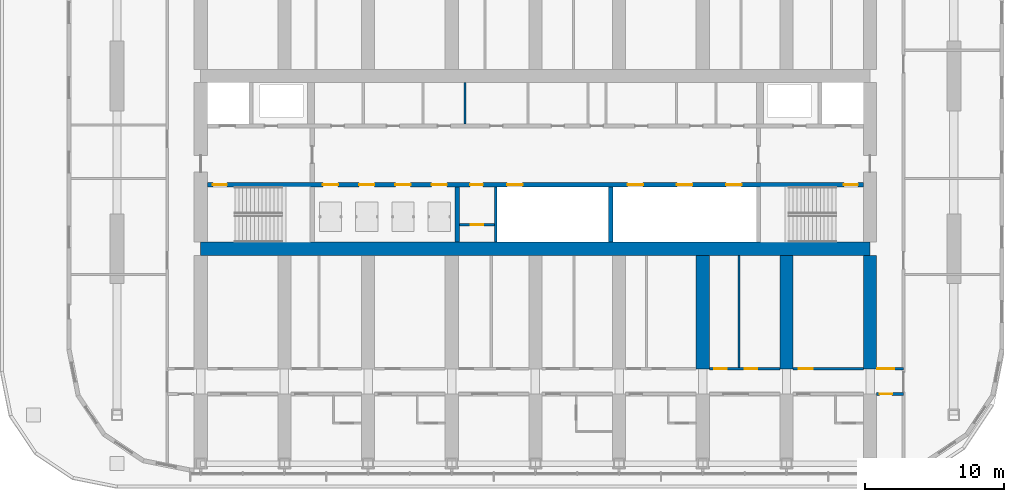
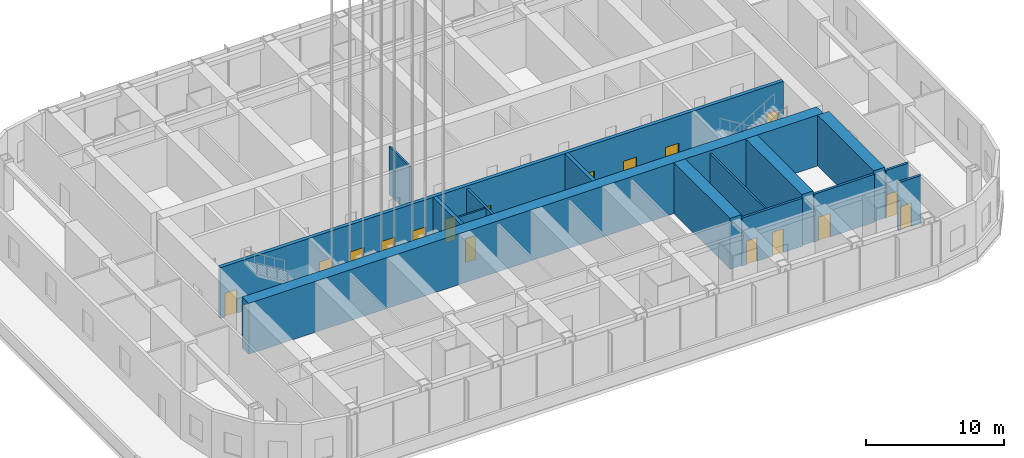
# One storey, part 13 of 32: 17 doors, 15 walls, 17 openings.
"""IFC4 building model written with IfcOpenShell, lengths in metres."""

from ifc_helpers import new_model, si_unit, direction, frame, frame_2d, origin, place, context, subcontext, project, spatial, rectangle, extrude, material, layer, layer_set, type_object, element, fill, save


model = new_model("IFC4")

# Units and contexts
model_context = context("Model", 3, precision=1e-05, world=origin(), true_north=direction((0.0, 1.0)))
body_context = subcontext(model_context, "Body", "Model", "MODEL_VIEW")
ifc_project = project(units=[si_unit("LENGTHUNIT", "METRE"), si_unit("AREAUNIT", "SQUARE_METRE"), si_unit("VOLUMEUNIT", "CUBIC_METRE"), si_unit("PLANEANGLEUNIT", "RADIAN"), si_unit("MASSUNIT", "GRAM", prefix="KILO")], contexts=[model_context])

# Site, building, storey
site_placement = place(None, origin())
site = spatial("IfcSite", under=ifc_project, at=site_placement, CompositionType="ELEMENT")
building_placement = place(site_placement, origin())
building = spatial("IfcBuilding", under=site, at=building_placement, Name="Orbita Commons", CompositionType="ELEMENT")
storey_placement = place(building_placement, frame((0.0, 0.0, 140.35009765625)))
storey = spatial("IfcBuildingStorey", under=building, at=storey_placement, Name="L34", CompositionType="ELEMENT", Elevation=140.35009765625)

# Wall, openings, doors
ifc_material_1 = material(Name="Concrete C50/60", Category="concrete")
ifc_layer_1 = layer(ifc_material_1, 0.300048828125)
ifc_layer_set_1 = layer_set([ifc_layer_1], Name="Concrete C50/60")
wall_type_1 = type_object("IfcWallType", Name="Core inner wall 300 C50/60", PredefinedType="SHEAR", material=ifc_layer_set_1)
wall_1_placement = place(storey_placement, frame((18.47509765625, 30.39990234375, 0.0), z_axis=(0.0, 0.0, 1.0), x_axis=(1.0, 0.0, 0.0)))
wall_1 = element("IfcWall", 1, at=wall_1_placement, inside=storey, type_object=wall_type_1, Name="Lobby wall south L34", PredefinedType="SHEAR", context=body_context, shape_type="SweptSolid", body=[
    extrude(rectangle(XDim=47.0498046875, YDim=0.300048828125, at=frame_2d((23.52490234375, 0.0))), origin(), (0.0, 0.0, 1.0), 4.5),
])
opening_1_placement = place(wall_1_placement, frame((0.39990234375, 0.0, 0.0)))
opening_1 = element("IfcOpeningElement", 2, at=opening_1_placement, cuts=wall_1, Name="Opening D02", PredefinedType="OPENING", context=body_context, shape_type="SweptSolid", body=[
    extrude(rectangle(XDim=1.0, YDim=2.10009765625, at=frame_2d((0.5, 1.050048828125))), frame((0.0, 0.159912109375, 0.0), z_axis=(0.0, -1.0, 0.0), x_axis=(1.0, 0.0, 0.0)), (0.0, 0.0, 1.0), 0.320068359375),
])
opening_2_placement = place(wall_1_placement, frame((45.64990234375, 0.0, 0.0)))
opening_2 = element("IfcOpeningElement", 3, at=opening_2_placement, cuts=wall_1, Name="Opening D02", PredefinedType="OPENING", context=body_context, shape_type="SweptSolid", body=[
    extrude(rectangle(XDim=1.0, YDim=2.10009765625, at=frame_2d((0.5, 1.050048828125))), frame((0.0, 0.159912109375, 0.0), z_axis=(0.0, -1.0, 0.0), x_axis=(1.0, 0.0, 0.0)), (0.0, 0.0, 1.0), 0.320068359375),
])
opening_3_placement = place(wall_1_placement, frame((8.27490234375, 0.0, 0.0)))
opening_3 = element("IfcOpeningElement", 4, at=opening_3_placement, cuts=wall_1, Name="Opening LD02", PredefinedType="OPENING", context=body_context, shape_type="SweptSolid", body=[
    extrude(rectangle(XDim=1.10009765625, YDim=2.10009765625, at=frame_2d((0.550048828125, 1.050048828125))), frame((0.0, 0.159912109375, 0.0), z_axis=(0.0, -1.0, 0.0), x_axis=(1.0, 0.0, 0.0)), (0.0, 0.0, 1.0), 0.320068359375),
])
opening_4_placement = place(wall_1_placement, frame((10.875, 0.0, 0.0)))
opening_4 = element("IfcOpeningElement", 5, at=opening_4_placement, cuts=wall_1, Name="Opening LD02", PredefinedType="OPENING", context=body_context, shape_type="SweptSolid", body=[
    extrude(rectangle(XDim=1.10009765625, YDim=2.10009765625, at=frame_2d((0.550048828125, 1.050048828125))), frame((0.0, 0.159912109375, 0.0), z_axis=(0.0, -1.0, 0.0), x_axis=(1.0, 0.0, 0.0)), (0.0, 0.0, 1.0), 0.320068359375),
])
opening_5_placement = place(wall_1_placement, frame((13.47509765625, 0.0, 0.0)))
opening_5 = element("IfcOpeningElement", 6, at=opening_5_placement, cuts=wall_1, Name="Opening LD02", PredefinedType="OPENING", context=body_context, shape_type="SweptSolid", body=[
    extrude(rectangle(XDim=1.10009765625, YDim=2.10009765625, at=frame_2d((0.550048828125, 1.050048828125))), frame((0.0, 0.159912109375, 0.0), z_axis=(0.0, -1.0, 0.0), x_axis=(1.0, 0.0, 0.0)), (0.0, 0.0, 1.0), 0.320068359375),
])
opening_6_placement = place(wall_1_placement, frame((16.074951171875, 0.0, 0.0)))
opening_6 = element("IfcOpeningElement", 7, at=opening_6_placement, cuts=wall_1, Name="Opening LD02", PredefinedType="OPENING", context=body_context, shape_type="SweptSolid", body=[
    extrude(rectangle(XDim=1.10009765625, YDim=2.10009765625, at=frame_2d((0.550048828125, 1.050048828125))), frame((0.0, 0.159912109375, 0.0), z_axis=(0.0, -1.0, 0.0), x_axis=(1.0, 0.0, 0.0)), (0.0, 0.0, 1.0), 0.320068359375),
])
opening_7_placement = place(wall_1_placement, frame((18.85009765625, 0.0, 0.0)))
opening_7 = element("IfcOpeningElement", 8, at=opening_7_placement, cuts=wall_1, Name="Opening D05", PredefinedType="OPENING", context=body_context, shape_type="SweptSolid", body=[
    extrude(rectangle(XDim=0.89990234375, YDim=2.10009765625, at=frame_2d((0.449951171875, 1.050048828125))), frame((0.0, 0.159912109375, 0.0), z_axis=(0.0, -1.0, 0.0), x_axis=(1.0, 0.0, 0.0)), (0.0, 0.0, 1.0), 0.320068359375),
])
opening_8_placement = place(wall_1_placement, frame((21.5, 0.0, 0.0)))
opening_8 = element("IfcOpeningElement", 9, at=opening_8_placement, cuts=wall_1, Name="Opening LD02", PredefinedType="OPENING", context=body_context, shape_type="SweptSolid", body=[
    extrude(rectangle(XDim=1.10009765625, YDim=2.10009765625, at=frame_2d((0.550048828125, 1.050048828125))), frame((0.0, 0.159912109375, 0.0), z_axis=(0.0, -1.0, 0.0), x_axis=(1.0, 0.0, 0.0)), (0.0, 0.0, 1.0), 0.320068359375),
])
opening_9_placement = place(wall_1_placement, frame((30.1416015625, 0.0, 0.0)))
opening_9 = element("IfcOpeningElement", 10, at=opening_9_placement, cuts=wall_1, Name="Opening LD02", PredefinedType="OPENING", context=body_context, shape_type="SweptSolid", body=[
    extrude(rectangle(XDim=1.10009765625, YDim=2.10009765625, at=frame_2d((0.550048828125, 1.050048828125))), frame((0.0, 0.159912109375, 0.0), z_axis=(0.0, -1.0, 0.0), x_axis=(1.0, 0.0, 0.0)), (0.0, 0.0, 1.0), 0.320068359375),
])
opening_10_placement = place(wall_1_placement, frame((33.675048828125, 0.0, 0.0)))
opening_10 = element("IfcOpeningElement", 11, at=opening_10_placement, cuts=wall_1, Name="Opening LD02", PredefinedType="OPENING", context=body_context, shape_type="SweptSolid", body=[
    extrude(rectangle(XDim=1.10009765625, YDim=2.10009765625, at=frame_2d((0.550048828125, 1.050048828125))), frame((0.0, 0.159912109375, 0.0), z_axis=(0.0, -1.0, 0.0), x_axis=(1.0, 0.0, 0.0)), (0.0, 0.0, 1.0), 0.320068359375),
])
opening_11_placement = place(wall_1_placement, frame((37.208251953125, 0.0, 0.0)))
opening_11 = element("IfcOpeningElement", 12, at=opening_11_placement, cuts=wall_1, Name="Opening LD02", PredefinedType="OPENING", context=body_context, shape_type="SweptSolid", body=[
    extrude(rectangle(XDim=1.10009765625, YDim=2.10009765625, at=frame_2d((0.550048828125, 1.050048828125))), frame((0.0, 0.159912109375, 0.0), z_axis=(0.0, -1.0, 0.0), x_axis=(1.0, 0.0, 0.0)), (0.0, 0.0, 1.0), 0.320068359375),
])
ifc_material_2 = material(Name="Steel-faced fire door leaf", Category="steel")
door_type_1 = type_object("IfcDoorType", Name="Fire door 90 min 1000x2100", OperationType="SINGLE_SWING_LEFT", PredefinedType="DOOR", material=ifc_material_2)
door_1_placement = place(opening_1_placement, origin())
door_1 = element("IfcDoor", 13, at=door_1_placement, inside=storey, type_object=door_type_1, Name="Stair S1 door", OperationType="SINGLE_SWING_LEFT", OverallHeight=2.10009765625, OverallWidth=1.0, PredefinedType="DOOR", context=body_context, shape_type="SweptSolid", body=[
    extrude(rectangle(XDim=1.0, YDim=2.10009765625, at=frame_2d((0.5, 1.050048828125))), frame((0.0, 0.02490234375, 0.0), z_axis=(0.0, -1.0, 0.0), x_axis=(1.0, 0.0, 0.0)), (0.0, 0.0, 1.0), 0.050048828125),
])
fill(opening_1, door_1)
door_2_placement = place(opening_2_placement, origin())
door_2 = element("IfcDoor", 14, at=door_2_placement, inside=storey, type_object=door_type_1, Name="Stair S2 door", OperationType="SINGLE_SWING_LEFT", OverallHeight=2.10009765625, OverallWidth=1.0, PredefinedType="DOOR", context=body_context, shape_type="SweptSolid", body=[
    extrude(rectangle(XDim=1.0, YDim=2.10009765625, at=frame_2d((0.5, 1.050048828125))), frame((0.0, 0.02490234375, 0.0), z_axis=(0.0, -1.0, 0.0), x_axis=(1.0, 0.0, 0.0)), (0.0, 0.0, 1.0), 0.050048828125),
])
fill(opening_2, door_2)
ifc_material_3 = material(Name="Steel-faced fire door leaf", Category="steel")
door_type_2 = type_object("IfcDoorType", Name="Lift landing door 1100x2100", OperationType="DOUBLE_DOOR_SLIDING", PredefinedType="DOOR", material=ifc_material_3)
door_3_placement = place(opening_3_placement, origin())
door_3 = element("IfcDoor", 15, at=door_3_placement, inside=storey, type_object=door_type_2, Name="Lift P31 landing door", OperationType="DOUBLE_DOOR_SLIDING", OverallHeight=2.10009765625, OverallWidth=1.10009765625, PredefinedType="DOOR", context=body_context, shape_type="SweptSolid", body=[
    extrude(rectangle(XDim=1.10009765625, YDim=2.10009765625, at=frame_2d((0.550048828125, 1.050048828125))), frame((0.0, 0.02490234375, 0.0), z_axis=(0.0, -1.0, 0.0), x_axis=(1.0, 0.0, 0.0)), (0.0, 0.0, 1.0), 0.050048828125),
])
fill(opening_3, door_3)
door_4_placement = place(opening_4_placement, origin())
door_4 = element("IfcDoor", 16, at=door_4_placement, inside=storey, type_object=door_type_2, Name="Lift P32 landing door", OperationType="DOUBLE_DOOR_SLIDING", OverallHeight=2.10009765625, OverallWidth=1.10009765625, PredefinedType="DOOR", context=body_context, shape_type="SweptSolid", body=[
    extrude(rectangle(XDim=1.10009765625, YDim=2.10009765625, at=frame_2d((0.550048828125, 1.050048828125))), frame((0.0, 0.02490234375, 0.0), z_axis=(0.0, -1.0, 0.0), x_axis=(1.0, 0.0, 0.0)), (0.0, 0.0, 1.0), 0.050048828125),
])
fill(opening_4, door_4)
door_5_placement = place(opening_5_placement, origin())
door_5 = element("IfcDoor", 17, at=door_5_placement, inside=storey, type_object=door_type_2, Name="Lift P33 landing door", OperationType="DOUBLE_DOOR_SLIDING", OverallHeight=2.10009765625, OverallWidth=1.10009765625, PredefinedType="DOOR", context=body_context, shape_type="SweptSolid", body=[
    extrude(rectangle(XDim=1.10009765625, YDim=2.10009765625, at=frame_2d((0.550048828125, 1.050048828125))), frame((0.0, 0.02490234375, 0.0), z_axis=(0.0, -1.0, 0.0), x_axis=(1.0, 0.0, 0.0)), (0.0, 0.0, 1.0), 0.050048828125),
])
fill(opening_5, door_5)
door_6_placement = place(opening_6_placement, origin())
door_6 = element("IfcDoor", 18, at=door_6_placement, inside=storey, type_object=door_type_2, Name="Lift P34 landing door", OperationType="DOUBLE_DOOR_SLIDING", OverallHeight=2.10009765625, OverallWidth=1.10009765625, PredefinedType="DOOR", context=body_context, shape_type="SweptSolid", body=[
    extrude(rectangle(XDim=1.10009765625, YDim=2.10009765625, at=frame_2d((0.550048828125, 1.050048828125))), frame((0.0, 0.02490234375, 0.0), z_axis=(0.0, -1.0, 0.0), x_axis=(1.0, 0.0, 0.0)), (0.0, 0.0, 1.0), 0.050048828125),
])
fill(opening_6, door_6)
door_7_placement = place(opening_8_placement, origin())
door_7 = element("IfcDoor", 19, at=door_7_placement, inside=storey, type_object=door_type_2, Name="Lift SH21 landing door", OperationType="DOUBLE_DOOR_SLIDING", OverallHeight=2.10009765625, OverallWidth=1.10009765625, PredefinedType="DOOR", context=body_context, shape_type="SweptSolid", body=[
    extrude(rectangle(XDim=1.10009765625, YDim=2.10009765625, at=frame_2d((0.550048828125, 1.050048828125))), frame((0.0, 0.02490234375, 0.0), z_axis=(0.0, -1.0, 0.0), x_axis=(1.0, 0.0, 0.0)), (0.0, 0.0, 1.0), 0.050048828125),
])
fill(opening_8, door_7)
door_8_placement = place(opening_9_placement, origin())
door_8 = element("IfcDoor", 20, at=door_8_placement, inside=storey, type_object=door_type_2, Name="Lift SV1 landing door", OperationType="DOUBLE_DOOR_SLIDING", OverallHeight=2.10009765625, OverallWidth=1.10009765625, PredefinedType="DOOR", context=body_context, shape_type="SweptSolid", body=[
    extrude(rectangle(XDim=1.10009765625, YDim=2.10009765625, at=frame_2d((0.550048828125, 1.050048828125))), frame((0.0, 0.02490234375, 0.0), z_axis=(0.0, -1.0, 0.0), x_axis=(1.0, 0.0, 0.0)), (0.0, 0.0, 1.0), 0.050048828125),
])
fill(opening_9, door_8)
door_9_placement = place(opening_10_placement, origin())
door_9 = element("IfcDoor", 21, at=door_9_placement, inside=storey, type_object=door_type_2, Name="Lift SV2 landing door", OperationType="DOUBLE_DOOR_SLIDING", OverallHeight=2.10009765625, OverallWidth=1.10009765625, PredefinedType="DOOR", context=body_context, shape_type="SweptSolid", body=[
    extrude(rectangle(XDim=1.10009765625, YDim=2.10009765625, at=frame_2d((0.550048828125, 1.050048828125))), frame((0.0, 0.02490234375, 0.0), z_axis=(0.0, -1.0, 0.0), x_axis=(1.0, 0.0, 0.0)), (0.0, 0.0, 1.0), 0.050048828125),
])
fill(opening_10, door_9)
door_10_placement = place(opening_11_placement, origin())
door_10 = element("IfcDoor", 22, at=door_10_placement, inside=storey, type_object=door_type_2, Name="Lift SV3 landing door", OperationType="DOUBLE_DOOR_SLIDING", OverallHeight=2.10009765625, OverallWidth=1.10009765625, PredefinedType="DOOR", context=body_context, shape_type="SweptSolid", body=[
    extrude(rectangle(XDim=1.10009765625, YDim=2.10009765625, at=frame_2d((0.550048828125, 1.050048828125))), frame((0.0, 0.02490234375, 0.0), z_axis=(0.0, -1.0, 0.0), x_axis=(1.0, 0.0, 0.0)), (0.0, 0.0, 1.0), 0.050048828125),
])
fill(opening_11, door_10)
ifc_material_4 = material(Name="Steel-faced fire door leaf", Category="steel")
door_type_3 = type_object("IfcDoorType", Name="Service door 20 min 900x2100", OperationType="SINGLE_SWING_LEFT", PredefinedType="DOOR", material=ifc_material_4)
door_11_placement = place(opening_7_placement, origin())
door_11 = element("IfcDoor", 23, at=door_11_placement, inside=storey, type_object=door_type_3, Name="Staff WC door", OperationType="SINGLE_SWING_LEFT", OverallHeight=2.10009765625, OverallWidth=0.89990234375, PredefinedType="DOOR", context=body_context, shape_type="SweptSolid", body=[
    extrude(rectangle(XDim=0.89990234375, YDim=2.10009765625, at=frame_2d((0.449951171875, 1.050048828125))), frame((0.0, 0.02490234375, 0.0), z_axis=(0.0, -1.0, 0.0), x_axis=(1.0, 0.0, 0.0)), (0.0, 0.0, 1.0), 0.050048828125),
])
fill(opening_7, door_11)

# Walls
for number, where, z_axis, x_axis, name in (
    (24, (36.39990234375, 26.27490234375, 0.0), (0.0, 0.0, 1.0), (0.0, 1.0, 0.0), "Hoistway division wall L34"),
    (25, (47.39990234375, 26.27490234375, 0.0), (0.0, 0.0, 1.0), (0.0, 1.0, 0.0), "Hoistway division wall L34"),
):
    element("IfcWall", number, at=place(storey_placement, frame(where, z_axis=z_axis, x_axis=x_axis)), inside=storey, type_object=wall_type_1, Name=name, PredefinedType="SHEAR", context=body_context, shape_type="SweptSolid", body=[
        extrude(rectangle(XDim=3.97509765625, YDim=0.300048828125, at=frame_2d((1.987548828125, 0.0))), origin(), (0.0, 0.0, 1.0), 4.5),
    ])
ifc_material_5 = material(Name="Concrete blockwork", Category="masonry")
ifc_layer_2 = layer(ifc_material_5, 0.14990234375)
ifc_layer_set_2 = layer_set([ifc_layer_2], Name="Concrete blockwork")
wall_type_2 = type_object("IfcWallType", Name="Core partition 150 blockwork", PredefinedType="SOLIDWALL", material=ifc_layer_set_2)
wall_2_placement = place(storey_placement, frame((36.9462890625, 34.75, 0.0), z_axis=(0.0, 0.0, 1.0), x_axis=(0.0, 1.0, 0.0)))
element("IfcWall", 26, at=wall_2_placement, inside=storey, type_object=wall_type_2, Name="Core partition 150 blockwork L34", PredefinedType="SOLIDWALL", context=body_context, shape_type="SweptSolid", body=[
    extrude(rectangle(XDim=2.97509765625, YDim=0.14990234375, at=frame_2d((1.487548828125, 0.0))), origin(), (0.0, 0.0, 1.0), 4.25),
])

# Wall, opening, door
wall_3_placement = place(storey_placement, frame((36.550048828125, 27.52490234375, 0.0), z_axis=(0.0, 0.0, 1.0), x_axis=(1.0, 0.0, 0.0)))
wall_3 = element("IfcWall", 27, at=wall_3_placement, inside=storey, type_object=wall_type_2, Name="Core partition 150 blockwork L34", PredefinedType="SOLIDWALL", context=body_context, shape_type="SweptSolid", body=[
    extrude(rectangle(XDim=2.5, YDim=0.14990234375, at=frame_2d((1.25, 0.0))), origin(), (0.0, 0.0, 1.0), 4.25),
])
opening_12_placement = place(wall_3_placement, frame((0.800048828125, 0.0, 0.0)))
opening_12 = element("IfcOpeningElement", 28, at=opening_12_placement, cuts=wall_3, Name="Opening D05", PredefinedType="OPENING", context=body_context, shape_type="SweptSolid", body=[
    extrude(rectangle(XDim=0.89990234375, YDim=2.10009765625, at=frame_2d((0.449951171875, 1.050048828125))), frame((0.0, 0.0849609375, 0.0), z_axis=(0.0, -1.0, 0.0), x_axis=(1.0, 0.0, 0.0)), (0.0, 0.0, 1.0), 0.169921875),
])
door_12_placement = place(opening_12_placement, origin())
door_12 = element("IfcDoor", 29, at=door_12_placement, inside=storey, type_object=door_type_3, Name="Cupboard door off Staff WC", OperationType="SINGLE_SWING_LEFT", OverallHeight=2.10009765625, OverallWidth=0.89990234375, PredefinedType="DOOR", context=body_context, shape_type="SweptSolid", body=[
    extrude(rectangle(XDim=0.89990234375, YDim=2.10009765625, at=frame_2d((0.449951171875, 1.050048828125))), frame((0.0, 0.02490234375, 0.0), z_axis=(0.0, -1.0, 0.0), x_axis=(1.0, 0.0, 0.0)), (0.0, 0.0, 1.0), 0.050048828125),
])
fill(opening_12, door_12)

# Wall
ifc_material_6 = material(Name="Concrete C50/60", Category="concrete")
ifc_layer_3 = layer(ifc_material_6, 0.949951171875)
ifc_layer_set_3 = layer_set([ifc_layer_3], Name="Concrete C50/60")
wall_type_3 = type_object("IfcWallType", Name="Core wall 950 C50/60", PredefinedType="SHEAR", material=ifc_layer_set_3)
wall_4_placement = place(storey_placement, frame((18.0, 25.800048828125, 0.0), z_axis=(0.0, 0.0, 1.0), x_axis=(1.0, 0.0, 0.0)))
element("IfcWall", 30, at=wall_4_placement, inside=storey, type_object=wall_type_3, Name="Core spine wall south L34", PredefinedType="SHEAR", context=body_context, shape_type="SweptSolid", body=[
    extrude(rectangle(XDim=48.0, YDim=0.949951171875, at=frame_2d((24.0, 0.0))), origin(), (0.0, 0.0, 1.0), 4.5),
])

# Wall, opening, door
ifc_material_7 = material(Name="Concrete blockwork", Category="masonry")
ifc_layer_4 = layer(ifc_material_7, 0.199951171875)
ifc_layer_set_4 = layer_set([ifc_layer_4], Name="Concrete blockwork")
wall_type_4 = type_object("IfcWallType", Name="Corridor wall 200 blockwork", PredefinedType="SOLIDWALL", material=ifc_layer_set_4)
wall_5_placement = place(storey_placement, frame((66.47509765625, 15.39990234375, 0.0), z_axis=(0.0, 0.0, 1.0), x_axis=(1.0, 0.0, 0.0)))
wall_5 = element("IfcWall", 31, at=wall_5_placement, inside=storey, type_object=wall_type_4, Name="Corridor wall 200 blockwork L34", PredefinedType="SOLIDWALL", context=body_context, shape_type="SweptSolid", body=[
    extrude(rectangle(XDim=1.9248046875, YDim=0.199951171875, at=frame_2d((0.96240234375, 0.0))), origin(), (0.0, 0.0, 1.0), 4.25),
])
opening_13_placement = place(wall_5_placement, frame((0.199951171875, 0.0, 0.0)))
opening_13 = element("IfcOpeningElement", 32, at=opening_13_placement, cuts=wall_5, Name="Opening D05", PredefinedType="OPENING", context=body_context, shape_type="SweptSolid", body=[
    extrude(rectangle(XDim=0.89990234375, YDim=2.10009765625, at=frame_2d((0.449951171875, 1.050048828125))), frame((0.0, 0.10986328125, 0.0), z_axis=(0.0, -1.0, 0.0), x_axis=(1.0, 0.0, 0.0)), (0.0, 0.0, 1.0), 0.219970703125),
])
door_13_placement = place(opening_13_placement, origin())
door_13 = element("IfcDoor", 33, at=door_13_placement, inside=storey, type_object=door_type_3, Name="Linen store L34-KES door", OperationType="SINGLE_SWING_LEFT", OverallHeight=2.10009765625, OverallWidth=0.89990234375, PredefinedType="DOOR", context=body_context, shape_type="SweptSolid", body=[
    extrude(rectangle(XDim=0.89990234375, YDim=2.10009765625, at=frame_2d((0.449951171875, 1.050048828125))), frame((0.0, 0.02490234375, 0.0), z_axis=(0.0, -1.0, 0.0), x_axis=(1.0, 0.0, 0.0)), (0.0, 0.0, 1.0), 0.050048828125),
])
fill(opening_13, door_13)

# Wall, openings, doors
ifc_material_8 = material(Name="Hollow concrete block 200", Category="concrete")
ifc_layer_5 = layer(ifc_material_8, 0.199951171875)
ifc_layer_set_5 = layer_set([ifc_layer_5], Name="Hollow concrete block 200")
wall_type_5 = type_object("IfcWallType", Name="Corridor wall 200 hollow concrete block", PredefinedType="SOLIDWALL", material=ifc_layer_set_5)
wall_6_placement = place(storey_placement, frame((54.47509765625, 17.199951171875, 0.0), z_axis=(0.0, 0.0, 1.0), x_axis=(1.0, 0.0, 0.0)))
wall_6 = element("IfcWall", 34, at=wall_6_placement, inside=storey, type_object=wall_type_5, Name="Corridor wall 200 hollow concrete block L34", PredefinedType="SOLIDWALL", context=body_context, shape_type="SweptSolid", body=[
    extrude(rectangle(XDim=5.0498046875, YDim=0.199951171875, at=frame_2d((2.52490234375, 0.0))), origin(), (0.0, 0.0, 1.0), 4.25),
])
opening_14_placement = place(wall_6_placement, frame((0.35009765625, 0.0, 0.0)))
opening_14 = element("IfcOpeningElement", 35, at=opening_14_placement, cuts=wall_6, Name="Opening D11", PredefinedType="OPENING", context=body_context, shape_type="SweptSolid", body=[
    extrude(rectangle(XDim=0.89990234375, YDim=2.10009765625, at=frame_2d((0.449951171875, 1.050048828125))), frame((0.0, 0.10986328125, 0.0), z_axis=(0.0, -1.0, 0.0), x_axis=(1.0, 0.0, 0.0)), (0.0, 0.0, 1.0), 0.219970703125),
])
opening_15_placement = place(wall_6_placement, frame((2.544921875, 0.0, 0.0)))
opening_15 = element("IfcOpeningElement", 36, at=opening_15_placement, cuts=wall_6, Name="Opening D11", PredefinedType="OPENING", context=body_context, shape_type="SweptSolid", body=[
    extrude(rectangle(XDim=0.89990234375, YDim=2.10009765625, at=frame_2d((0.449951171875, 1.050048828125))), frame((0.0, 0.10986328125, 0.0), z_axis=(0.0, -1.0, 0.0), x_axis=(1.0, 0.0, 0.0)), (0.0, 0.0, 1.0), 0.219970703125),
])
ifc_material_9 = material(Name="Steel-faced fire door leaf", Category="steel")
door_type_4 = type_object("IfcDoorType", Name="Corridor door 20 min 900x2100", OperationType="SINGLE_SWING_LEFT", PredefinedType="DOOR", material=ifc_material_9)
door_14_placement = place(opening_14_placement, origin())
door_14 = element("IfcDoor", 37, at=door_14_placement, inside=storey, type_object=door_type_4, Name="Paper and print store L34-BDS54n door", OperationType="SINGLE_SWING_LEFT", OverallHeight=2.10009765625, OverallWidth=0.89990234375, PredefinedType="DOOR", context=body_context, shape_type="SweptSolid", body=[
    extrude(rectangle(XDim=0.89990234375, YDim=2.10009765625, at=frame_2d((0.449951171875, 1.050048828125))), frame((0.0, 0.02490234375, 0.0), z_axis=(0.0, -1.0, 0.0), x_axis=(1.0, 0.0, 0.0)), (0.0, 0.0, 1.0), 0.050048828125),
])
fill(opening_14, door_14)
door_15_placement = place(opening_15_placement, origin())
door_15 = element("IfcDoor", 38, at=door_15_placement, inside=storey, type_object=door_type_4, Name="Interview room L34-BDS54 door", OperationType="SINGLE_SWING_LEFT", OverallHeight=2.10009765625, OverallWidth=0.89990234375, PredefinedType="DOOR", context=body_context, shape_type="SweptSolid", body=[
    extrude(rectangle(XDim=0.89990234375, YDim=2.10009765625, at=frame_2d((0.449951171875, 1.050048828125))), frame((0.0, 0.02490234375, 0.0), z_axis=(0.0, -1.0, 0.0), x_axis=(1.0, 0.0, 0.0)), (0.0, 0.0, 1.0), 0.050048828125),
])
fill(opening_15, door_15)

# Wall, opening, door
wall_7_placement = place(storey_placement, frame((60.47509765625, 17.199951171875, 0.0), z_axis=(0.0, 0.0, 1.0), x_axis=(1.0, 0.0, 0.0)))
wall_7 = element("IfcWall", 39, at=wall_7_placement, inside=storey, type_object=wall_type_5, Name="Corridor wall 200 hollow concrete block L34", PredefinedType="SOLIDWALL", context=body_context, shape_type="SweptSolid", body=[
    extrude(rectangle(XDim=5.0498046875, YDim=0.199951171875, at=frame_2d((2.52490234375, 0.0))), origin(), (0.0, 0.0, 1.0), 4.25),
])
opening_16_placement = place(wall_7_placement, frame((0.39990234375, 0.0, 0.0)))
opening_16 = element("IfcOpeningElement", 40, at=opening_16_placement, cuts=wall_7, Name="Opening D06", PredefinedType="OPENING", context=body_context, shape_type="SweptSolid", body=[
    extrude(rectangle(XDim=1.0, YDim=2.10009765625, at=frame_2d((0.5, 1.050048828125))), frame((0.0, 0.10986328125, 0.0), z_axis=(0.0, -1.0, 0.0), x_axis=(1.0, 0.0, 0.0)), (0.0, 0.0, 1.0), 0.219970703125),
])
ifc_material_10 = material(Name="Steel-faced fire door leaf", Category="steel")
door_type_5 = type_object("IfcDoorType", Name="Corridor door 20 min 1000x2100", OperationType="SINGLE_SWING_LEFT", PredefinedType="DOOR", material=ifc_material_10)
door_16_placement = place(opening_16_placement, origin())
door_16 = element("IfcDoor", 41, at=door_16_placement, inside=storey, type_object=door_type_5, Name="Bicycle store L34-BDS60 door", OperationType="SINGLE_SWING_LEFT", OverallHeight=2.10009765625, OverallWidth=1.0, PredefinedType="DOOR", context=body_context, shape_type="SweptSolid", body=[
    extrude(rectangle(XDim=1.0, YDim=2.10009765625, at=frame_2d((0.5, 1.050048828125))), frame((0.0, 0.02490234375, 0.0), z_axis=(0.0, -1.0, 0.0), x_axis=(1.0, 0.0, 0.0)), (0.0, 0.0, 1.0), 0.050048828125),
])
fill(opening_16, door_16)

wall_8_placement = place(storey_placement, frame((66.47509765625, 17.199951171875, 0.0), z_axis=(0.0, 0.0, 1.0), x_axis=(1.0, 0.0, 0.0)))
wall_8 = element("IfcWall", 42, at=wall_8_placement, inside=storey, type_object=wall_type_5, Name="Corridor wall 200 hollow concrete block L34", PredefinedType="SOLIDWALL", context=body_context, shape_type="SweptSolid", body=[
    extrude(rectangle(XDim=1.9248046875, YDim=0.199951171875, at=frame_2d((0.96240234375, 0.0))), origin(), (0.0, 0.0, 1.0), 4.25),
])
opening_17_placement = place(wall_8_placement, frame((0.050048828125, 0.0, 0.0)))
opening_17 = element("IfcOpeningElement", 43, at=opening_17_placement, cuts=wall_8, Name="Opening D12", PredefinedType="OPENING", context=body_context, shape_type="SweptSolid", body=[
    extrude(rectangle(XDim=1.199951171875, YDim=2.10009765625, at=frame_2d((0.60009765625, 1.050048828125))), frame((0.0, 0.10986328125, 0.0), z_axis=(0.0, -1.0, 0.0), x_axis=(1.0, 0.0, 0.0)), (0.0, 0.0, 1.0), 0.219970703125),
])
ifc_material_11 = material(Name="Steel-faced fire door leaf", Category="steel")
door_type_6 = type_object("IfcDoorType", Name="Double corridor door 20 min 1200x2100", OperationType="DOUBLE_DOOR_SINGLE_SWING", PredefinedType="DOOR", material=ifc_material_11)
door_17_placement = place(opening_17_placement, origin())
door_17 = element("IfcDoor", 44, at=door_17_placement, inside=storey, type_object=door_type_6, Name="Cross corridor doors", OperationType="DOUBLE_DOOR_SINGLE_SWING", OverallHeight=2.10009765625, OverallWidth=1.199951171875, PredefinedType="DOOR", context=body_context, shape_type="SweptSolid", body=[
    extrude(rectangle(XDim=1.199951171875, YDim=2.10009765625, at=frame_2d((0.60009765625, 1.050048828125))), frame((0.0, 0.02490234375, 0.0), z_axis=(0.0, -1.0, 0.0), x_axis=(1.0, 0.0, 0.0)), (0.0, 0.0, 1.0), 0.050048828125),
])
fill(opening_17, door_17)

# Walls
ifc_material_12 = material(Name="Concrete C50/60", Category="concrete")
ifc_layer_6 = layer(ifc_material_12, 0.949951171875)
ifc_layer_set_6 = layer_set([ifc_layer_6], Name="Concrete C50/60")
wall_type_6 = type_object("IfcWallType", Name="Cross wall 950 C50/60", PredefinedType="SHEAR", material=ifc_layer_set_6)
for number, where, z_axis, x_axis, name in (
    (45, (54.0, 17.199951171875, 0.0), (0.0, 0.0, 1.0), (0.0, 1.0, 0.0), "Cross wall 10 south inner L34"),
    (46, (60.0, 17.199951171875, 0.0), (0.0, 0.0, 1.0), (0.0, 1.0, 0.0), "Cross wall 11 south inner L34"),
    (47, (66.0, 17.199951171875, 0.0), (0.0, 0.0, 1.0), (0.0, 1.0, 0.0), "Cross wall 12 south inner L34"),
):
    element("IfcWall", number, at=place(storey_placement, frame(where, z_axis=z_axis, x_axis=x_axis)), inside=storey, type_object=wall_type_6, Name=name, PredefinedType="SHEAR", context=body_context, shape_type="SweptSolid", body=[
        extrude(rectangle(XDim=8.125, YDim=0.949951171875, at=frame_2d((4.0625, 0.0))), origin(), (0.0, 0.0, 1.0), 4.5),
    ])
ifc_material_13 = material(Name="Gypsum plasterboard on steel studs", Category="steel")
ifc_layer_7 = layer(ifc_material_13, 0.14990234375)
ifc_layer_set_7 = layer_set([ifc_layer_7], Name="Gypsum plasterboard on steel studs")
wall_type_7 = type_object("IfcWallType", Name="Partition 150 plasterboard", PredefinedType="PARTITIONING", material=ifc_layer_set_7)
wall_9_placement = place(storey_placement, frame((56.594970703125, 17.300048828125, 0.0), z_axis=(0.0, 0.0, 1.0), x_axis=(0.0, 1.0, 0.0)))
element("IfcWall", 48, at=wall_9_placement, inside=storey, type_object=wall_type_7, Name="Partition 150 plasterboard L34", PredefinedType="PARTITIONING", context=body_context, shape_type="SweptSolid", body=[
    extrude(rectangle(XDim=8.02490234375, YDim=0.14990234375, at=frame_2d((4.012451171875, 0.0))), origin(), (0.0, 0.0, 1.0), 4.25),
])
ifc_material_14 = material(Name="Concrete blockwork, fully filled", Category="masonry")
ifc_layer_8 = layer(ifc_material_14, 0.199951171875)
ifc_layer_set_8 = layer_set([ifc_layer_8], Name="Concrete blockwork, fully filled")
wall_type_8 = type_object("IfcWallType", Name="Shaft partition 200 blockwork", PredefinedType="SOLIDWALL", material=ifc_layer_set_8)
wall_10_placement = place(storey_placement, frame((39.14990234375, 26.27490234375, 0.0), z_axis=(0.0, 0.0, 1.0), x_axis=(0.0, 1.0, 0.0)))
element("IfcWall", 49, at=wall_10_placement, inside=storey, type_object=wall_type_8, Name="Shaft partition 200 blockwork L34", PredefinedType="SOLIDWALL", context=body_context, shape_type="SweptSolid", body=[
    extrude(rectangle(XDim=3.97509765625, YDim=0.199951171875, at=frame_2d((1.987548828125, 0.0))), origin(), (0.0, 0.0, 1.0), 4.25),
])

save(model, "model.ifc")
